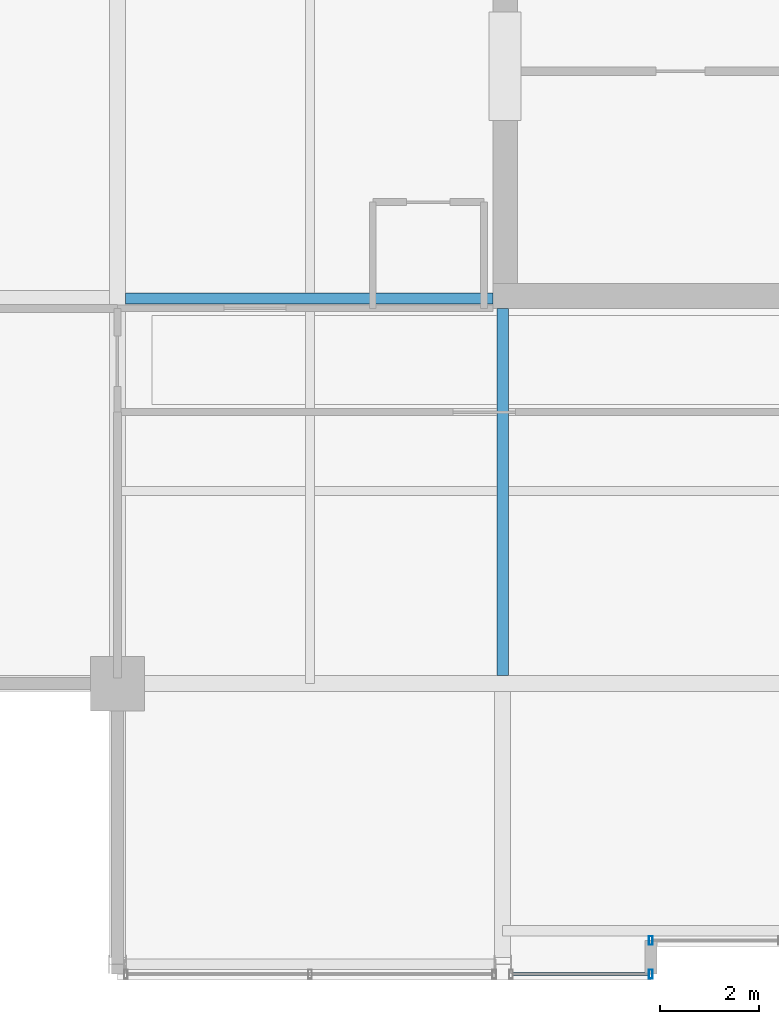
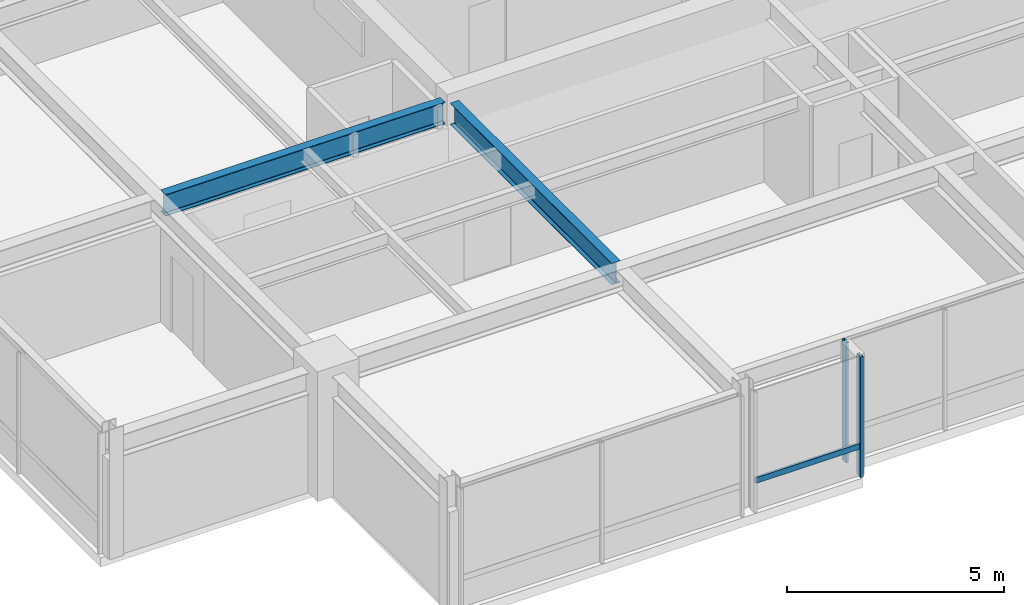
# One storey, part 6 of 33: 3 members, 2 beams, 2 elements without a shape of their own.
"""IFC4 building model written with IfcOpenShell, lengths in metres."""

from ifc_helpers import new_model, si_unit, direction, frame, origin, origin_2d, place, context, subcontext, project, spatial, hollow_rectangle, i_section, extrude, material, layer, layer_set, material_profile, profile_set, type_object, element, aggregate, save


model = new_model("IFC4")

# Units and contexts
model_context = context("Model", 3, precision=1e-05, world=origin(), true_north=direction((0.0, 1.0)))
body_context = subcontext(model_context, "Body", "Model", "MODEL_VIEW")
ifc_project = project(units=[si_unit("LENGTHUNIT", "METRE"), si_unit("AREAUNIT", "SQUARE_METRE"), si_unit("VOLUMEUNIT", "CUBIC_METRE"), si_unit("PLANEANGLEUNIT", "RADIAN"), si_unit("MASSUNIT", "GRAM", prefix="KILO")], contexts=[model_context])

# Site, building, storey
site_placement = place(None, origin())
site = spatial("IfcSite", under=ifc_project, at=site_placement, CompositionType="ELEMENT")
building_placement = place(site_placement, origin())
building = spatial("IfcBuilding", under=site, at=building_placement, Name="Drelvath Grand Hotel", CompositionType="ELEMENT")
storey_placement = place(building_placement, frame((0.0, 0.0, 279.60009765625)))
storey = spatial("IfcBuildingStorey", under=building, at=storey_placement, Name="L73", CompositionType="ELEMENT", Elevation=279.60009765625)

# Curtain wall, member
ifc_material_1 = material(Name="Platinum-Mist Anodised Aluminium Frame", Category="aluminium")
ifc_layer = layer(ifc_material_1, 0.199951171875)
ifc_layer_set = layer_set([ifc_layer], Name="Platinum-Mist Anodised Aluminium Frame")
curtain_wall_type = type_object("IfcCurtainWallType", Name="Stick Curtain Wall CW-05 Platinum Mist High-Rise", PredefinedType="NOTDEFINED", material=ifc_layer_set)
curtain_wall_1_placement = place(storey_placement, origin())
curtain_wall_1 = element("IfcCurtainWall", 1, at=curtain_wall_1_placement, inside=storey, type_object=curtain_wall_type, Name="L73 CW-05 Curtain Wall CW05-L73-SW2", PredefinedType="NOTDEFINED")
ifc_material_profile_1 = material_profile(ifc_material_1, hollow_rectangle(XDim=0.06494140625, YDim=0.159912109375, WallThickness=0.00390625, at=origin_2d()), Name="HSS160X65X4")
ifc_profile_set_1 = profile_set([ifc_material_profile_1], Name="Platinum-Mist Anodised Aluminium Frame")
member_type_1 = type_object("IfcMemberType", Name="Curtain Wall Horizontal Transom CW-05 HSS160X65X4", PredefinedType="USERDEFINED", material=ifc_profile_set_1)
member_1_placement = place(storey_placement, frame((-5.43994140625, 4.919921875, 0.847412109375), z_axis=(-1.0, 0.0, 0.0), x_axis=(0.0, -1.0, 0.0)))
member_1 = element("IfcMember", 2, at=member_1_placement, type_object=member_type_1, Name="CW05-L73-SW2 Sill Transom", ObjectType="TRANSOM", PredefinedType="USERDEFINED", context=body_context, shape_type="SweptSolid", body=[
    extrude(hollow_rectangle(XDim=0.06494140625, YDim=0.159912109375, WallThickness=0.00390625, at=origin_2d()), origin(), (0.0, 0.0, 1.0), 2.75),
])

curtain_wall_2_placement = place(storey_placement, origin())
curtain_wall_2 = element("IfcCurtainWall", 3, at=curtain_wall_2_placement, inside=storey, type_object=curtain_wall_type, Name="L73 CW-05 Curtain Wall CW05-L73-SM1", PredefinedType="NOTDEFINED")
ifc_material_profile_2 = material_profile(ifc_material_1, hollow_rectangle(XDim=0.074951171875, YDim=0.179931640625, WallThickness=0.0048828125, at=origin_2d()), Name="HSS180X75X5")
ifc_profile_set_2 = profile_set([ifc_material_profile_2], Name="Platinum-Mist Anodised Aluminium Frame")
member_type_2 = type_object("IfcMemberType", Name="Curtain Wall Vertical Mullion CW-05 HSS180X75X5", PredefinedType="MULLION", material=ifc_profile_set_2)
member_2_placement = place(storey_placement, frame((-5.39990234375, 5.60009765625, 0.0), z_axis=(0.0, 0.0, 1.0), x_axis=(1.0, 0.0, 0.0)))
member_2 = element("IfcMember", 4, at=member_2_placement, type_object=member_type_2, Name="CW05-L73-SM1 Mullion 3", PredefinedType="MULLION", context=body_context, shape_type="SweptSolid", body=[
    extrude(hollow_rectangle(XDim=0.074951171875, YDim=0.179931640625, WallThickness=0.0048828125, at=origin_2d()), origin(), (0.0, 0.0, 1.0), 3.389892578125),
])
aggregate(curtain_wall_2, [member_2])

# Member
member_3_placement = place(storey_placement, frame((-5.39990234375, 4.919921875, 0.0), z_axis=(0.0, 0.0, 1.0), x_axis=(1.0, 0.0, 0.0)))
member_3 = element("IfcMember", 5, at=member_3_placement, type_object=member_type_2, Name="CW05-L73-SW2 Mullion 1", PredefinedType="MULLION", context=body_context, shape_type="SweptSolid", body=[
    extrude(hollow_rectangle(XDim=0.074951171875, YDim=0.179931640625, WallThickness=0.0048828125, at=origin_2d()), origin(), (0.0, 0.0, 1.0), 3.389892578125),
])

aggregate(curtain_wall_1, [member_3, member_1])

# Beams
ifc_material_2 = material(Name="Steel ASTM A992 Gr 50", Category="steel")
ifc_material_profile_3 = material_profile(ifc_material_2, i_section(OverallWidth=0.228271484375, OverallDepth=0.607666015625, WebThickness=0.01123046875, FlangeThickness=0.017333984375, FilletRadius=0.02001953125, at=origin_2d()), Name="W24X76")
ifc_profile_set_3 = profile_set([ifc_material_profile_3], Name="Steel ASTM A992 Gr 50")
beam_type = type_object("IfcBeamType", Name="Primary Floor Girder W24X76", PredefinedType="BEAM", material=ifc_profile_set_3)
for number, where, z_axis, x_axis, name in (
    (6, (-16.0380859375, 18.60009765625, 3.086181640625), (1.0, 0.0, 0.0), (0.0, 1.0, 0.0), "L73 West Core Tie D"),
    (7, (-8.39990234375, 10.9619140625, 3.086181640625), (0.0, 1.0, 0.0), (-1.0, 0.0, 0.0), "L73 South Core Tie 4"),
):
    element("IfcBeam", number, at=place(storey_placement, frame(where, z_axis=z_axis, x_axis=x_axis)), inside=storey, type_object=beam_type, Name=name, PredefinedType="BEAM", context=body_context, shape_type="SweptSolid", body=[
        extrude(i_section(OverallWidth=0.228271484375, OverallDepth=0.607666015625, WebThickness=0.01123046875, FlangeThickness=0.017333984375, FilletRadius=0.02001953125, at=origin_2d()), origin(), (0.0, 0.0, 1.0), 7.43798828125),
    ])

save(model, "model.ifc")
